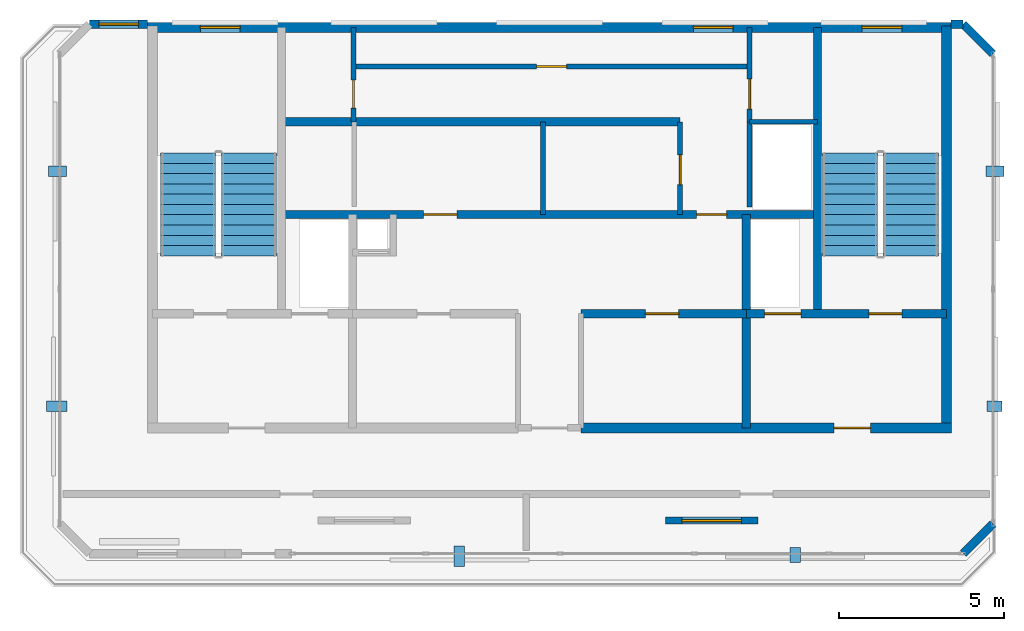
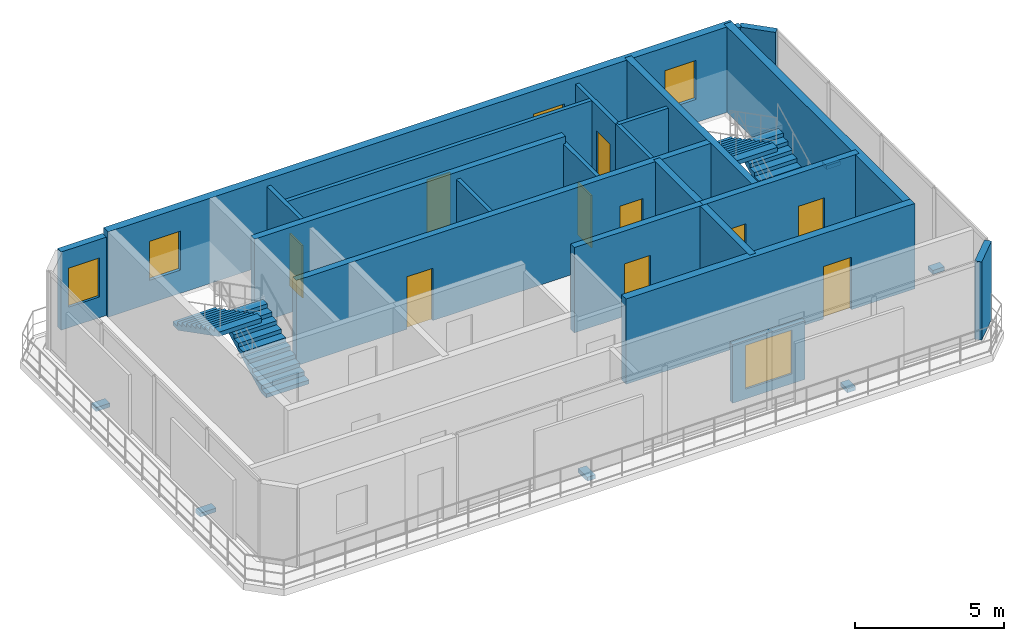
# One storey, part 6 of 7: 21 walls, 10 doors, 6 discrete accessories, 5 windows, 4 stair flights, 15 openings, 2 elements without a shape of their own.
"""IFC4 building model written with IfcOpenShell, lengths in metres."""

from ifc_helpers import new_model, si_unit, direction, frame, frame_2d, origin, origin_2d, place, context, subcontext, project, spatial, polyline, rectangle, outline, extrude, material, layer, layer_set, type_object, element, fill, aggregate, save


model = new_model("IFC4")

# Units and contexts
model_context = context("Model", 3, precision=1e-05, world=origin(), true_north=direction((0.0, 1.0)))
body_context = subcontext(model_context, "Body", "Model", "MODEL_VIEW")
ifc_project = project(units=[si_unit("LENGTHUNIT", "METRE"), si_unit("AREAUNIT", "SQUARE_METRE"), si_unit("VOLUMEUNIT", "CUBIC_METRE"), si_unit("PLANEANGLEUNIT", "RADIAN"), si_unit("MASSUNIT", "GRAM", prefix="KILO")], contexts=[model_context])

# Site, building, storey
site_placement = place(None, origin())
site = spatial("IfcSite", under=ifc_project, at=site_placement, CompositionType="ELEMENT")
building_placement = place(site_placement, origin())
building = spatial("IfcBuilding", under=site, at=building_placement, Name="Catumbela Crestline Tower", CompositionType="ELEMENT")
storey_placement = place(building_placement, frame((0.0, 0.0, 308.0)))
storey = spatial("IfcBuildingStorey", under=building, at=storey_placement, Name="L79", CompositionType="ELEMENT", Elevation=308.0)

# Walls
ifc_material_1 = material(Name="Concrete C50/60", Category="concrete")
ifc_layer_1 = layer(ifc_material_1, 0.25, Name="Concrete C50/60")
ifc_layer_set_1 = layer_set([ifc_layer_1], Name="Concrete C50/60")
wall_type_1 = type_object("IfcWallType", Name="CW-250D", PredefinedType="SHEAR", material=ifc_layer_set_1)
wall_1_placement = place(storey_placement, frame((36.1, 34.25, 0.0), z_axis=(0.0, 0.0, 1.0), x_axis=(0.0, 1.0, 0.0)))
element("IfcWall", 1, at=wall_1_placement, inside=storey, type_object=wall_type_1, Name="L79 Structural Core Shear Wall EWEB", PredefinedType="SHEAR", context=body_context, shape_type="SweptSolid", body=[
    extrude(rectangle(XDim=8.65, YDim=0.25, at=frame_2d((4.325, 0.0))), origin(), (0.0, 0.0, 1.0), 3.5),
])
wall_2_placement = place(storey_placement, frame((33.95, 30.8, 0.0), z_axis=(0.0, 0.0, 1.0), x_axis=(0.0, 1.0, 0.0)))
element("IfcWall", 2, at=wall_2_placement, inside=storey, type_object=wall_type_1, Name="L79 Structural Core Shear Wall FFE", PredefinedType="SHEAR", context=body_context, shape_type="SweptSolid", body=[
    extrude(rectangle(XDim=6.45, YDim=0.25, at=frame_2d((3.225, 0.0))), origin(), (0.0, 0.0, 1.0), 3.5),
])

# Wall, openings, doors
wall_3_placement = place(storey_placement, frame((33.95, 34.25, 0.0), z_axis=(0.0, 0.0, 1.0), x_axis=(1.0, 0.0, 0.0)))
wall_3 = element("IfcWall", 3, at=wall_3_placement, inside=storey, type_object=wall_type_1, Name="L79 Structural Core Shear Wall ST2S", PredefinedType="SHEAR", context=body_context, shape_type="SweptSolid", body=[
    extrude(rectangle(XDim=6.05, YDim=0.25, at=frame_2d((3.025, 0.0))), origin(), (0.0, 0.0, 1.0), 3.5),
])
opening_1_placement = place(wall_3_placement, frame((3.7, 0.0, 0.0)))
opening_1 = element("IfcOpeningElement", 4, at=opening_1_placement, cuts=wall_3, Name="Opening DF9-100", PredefinedType="OPENING", context=body_context, shape_type="SweptSolid", body=[
    extrude(rectangle(XDim=1.0, YDim=2.15, at=frame_2d((0.5, 1.075))), frame((0.0, 0.135, 0.0), z_axis=(0.0, -1.0, 0.0), x_axis=(1.0, 0.0, 0.0)), (0.0, 0.0, 1.0), 0.27),
])
opening_2_placement = place(wall_3_placement, frame((0.55, 0.0, 0.0)))
opening_2 = element("IfcOpeningElement", 5, at=opening_2_placement, cuts=wall_3, Name="Opening LD-110", PredefinedType="OPENING", context=body_context, shape_type="SweptSolid", body=[
    extrude(rectangle(XDim=1.1, YDim=2.15, at=frame_2d((0.55, 1.075))), frame((0.0, 0.135, 0.0), z_axis=(0.0, -1.0, 0.0), x_axis=(1.0, 0.0, 0.0)), (0.0, 0.0, 1.0), 0.27),
])
ifc_material_2 = material(Name="Stainless steel EN 1.4401", Category="steel")
door_type_1 = type_object("IfcDoorType", Name="DF9-100", OperationType="NOTDEFINED", PredefinedType="DOOR", material=ifc_material_2)
door_1_placement = place(opening_1_placement, origin())
door_1 = element("IfcDoor", 6, at=door_1_placement, inside=storey, type_object=door_type_1, Name="L79 Interior Door DR-L79-ST02", OperationType="SINGLE_SWING_RIGHT", OverallHeight=2.15, OverallWidth=1.0, PredefinedType="DOOR", context=body_context, shape_type="SweptSolid", body=[
    extrude(rectangle(XDim=1.0, YDim=2.15, at=frame_2d((0.5, 1.075))), frame((0.0, 0.025, 0.0), z_axis=(0.0, -1.0, 0.0), x_axis=(1.0, 0.0, 0.0)), (0.0, 0.0, 1.0), 0.05),
])
fill(opening_1, door_1)
door_type_2 = type_object("IfcDoorType", Name="LD-110", OperationType="NOTDEFINED", PredefinedType="DOOR", material=ifc_material_2)
door_2_placement = place(opening_2_placement, origin())
door_2 = element("IfcDoor", 7, at=door_2_placement, inside=storey, type_object=door_type_2, Name="L79 Lift Landing Sliding Door FL-02", OperationType="DOUBLE_DOOR_SLIDING", OverallHeight=2.15, OverallWidth=1.1, PredefinedType="DOOR", context=body_context, shape_type="SweptSolid", body=[
    extrude(rectangle(XDim=1.1, YDim=2.15, at=frame_2d((0.55, 1.075))), frame((0.0, 0.025, 0.0), z_axis=(0.0, -1.0, 0.0), x_axis=(1.0, 0.0, 0.0)), (0.0, 0.0, 1.0), 0.05),
])
fill(opening_2, door_2)

# Wall, opening, door
wall_4_placement = place(storey_placement, frame((28.95, 34.25, 0.0), z_axis=(0.0, 0.0, 1.0), x_axis=(1.0, 0.0, 0.0)))
wall_4 = element("IfcWall", 8, at=wall_4_placement, inside=storey, type_object=wall_type_1, Name="L79 Structural Core Shear Wall LIFTS-E", PredefinedType="SHEAR", context=body_context, shape_type="SweptSolid", body=[
    extrude(rectangle(XDim=5.0, YDim=0.25, at=frame_2d((2.5, 0.0))), origin(), (0.0, 0.0, 1.0), 3.5),
])
opening_3_placement = place(wall_4_placement, frame((1.95, 0.0, 0.0)))
opening_3 = element("IfcOpeningElement", 9, at=opening_3_placement, cuts=wall_4, Name="Opening DF9-100", PredefinedType="OPENING", context=body_context, shape_type="SweptSolid", body=[
    extrude(rectangle(XDim=1.0, YDim=2.15, at=frame_2d((0.5, 1.075))), frame((0.0, 0.135, 0.0), z_axis=(0.0, -1.0, 0.0), x_axis=(1.0, 0.0, 0.0)), (0.0, 0.0, 1.0), 0.27),
])
door_3_placement = place(opening_3_placement, origin())
door_3 = element("IfcDoor", 10, at=door_3_placement, inside=storey, type_object=door_type_1, Name="L79 Interior Door DR-L79-RECL2", OperationType="SINGLE_SWING_RIGHT", OverallHeight=2.15, OverallWidth=1.0, PredefinedType="DOOR", context=body_context, shape_type="SweptSolid", body=[
    extrude(rectangle(XDim=1.0, YDim=2.15, at=frame_2d((0.5, 1.075))), frame((0.0, 0.025, 0.0), z_axis=(0.0, -1.0, 0.0), x_axis=(1.0, 0.0, 0.0)), (0.0, 0.0, 1.0), 0.05),
])
fill(opening_3, door_3)

# Wall, openings, doors
wall_5_placement = place(storey_placement, frame((19.9, 37.25, 0.0), z_axis=(0.0, 0.0, 1.0), x_axis=(1.0, 0.0, 0.0)))
wall_5 = element("IfcWall", 11, at=wall_5_placement, inside=storey, type_object=wall_type_1, Name="L79 Structural Core Shear Wall LIFTN", PredefinedType="SHEAR", context=body_context, shape_type="SweptSolid", body=[
    extrude(rectangle(XDim=16.2, YDim=0.25, at=frame_2d((8.1, 0.0))), origin(), (0.0, 0.0, 1.0), 3.5),
])
opening_4_placement = place(wall_5_placement, frame((4.3, 0.0, 0.0)))
opening_4 = element("IfcOpeningElement", 12, at=opening_4_placement, cuts=wall_5, Name="Opening DF9-100", PredefinedType="OPENING", context=body_context, shape_type="SweptSolid", body=[
    extrude(rectangle(XDim=1.0, YDim=2.15, at=frame_2d((0.5, 1.075))), frame((0.0, 0.135, 0.0), z_axis=(0.0, -1.0, 0.0), x_axis=(1.0, 0.0, 0.0)), (0.0, 0.0, 1.0), 0.27),
])
opening_5_placement = place(wall_5_placement, frame((12.55, 0.0, 0.0)))
opening_5 = element("IfcOpeningElement", 13, at=opening_5_placement, cuts=wall_5, Name="Opening DF9-090", PredefinedType="OPENING", context=body_context, shape_type="SweptSolid", body=[
    extrude(rectangle(XDim=0.9, YDim=2.15, at=frame_2d((0.45, 1.075))), frame((0.0, 0.135, 0.0), z_axis=(0.0, -1.0, 0.0), x_axis=(1.0, 0.0, 0.0)), (0.0, 0.0, 1.0), 0.27),
])
door_type_3 = type_object("IfcDoorType", Name="DF9-090", OperationType="NOTDEFINED", PredefinedType="DOOR", material=ifc_material_2)
door_4_placement = place(opening_5_placement, origin())
door_4 = element("IfcDoor", 14, at=door_4_placement, inside=storey, type_object=door_type_3, Name="L79 Interior Door DR-L79-CPAS1", OperationType="SINGLE_SWING_LEFT", OverallHeight=2.15, OverallWidth=0.9, PredefinedType="DOOR", context=body_context, shape_type="SweptSolid", body=[
    extrude(rectangle(XDim=0.9, YDim=2.15, at=frame_2d((0.45, 1.075))), frame((0.0, 0.025, 0.0), z_axis=(0.0, -1.0, 0.0), x_axis=(1.0, 0.0, 0.0)), (0.0, 0.0, 1.0), 0.05),
])
fill(opening_5, door_4)
door_5_placement = place(opening_4_placement, origin())
door_5 = element("IfcDoor", 15, at=door_5_placement, inside=storey, type_object=door_type_1, Name="L79 Interior Door DR-L79-RECL3", OperationType="SINGLE_SWING_LEFT", OverallHeight=2.15, OverallWidth=1.0, PredefinedType="DOOR", context=body_context, shape_type="SweptSolid", body=[
    extrude(rectangle(XDim=1.0, YDim=2.15, at=frame_2d((0.5, 1.075))), frame((0.0, 0.025, 0.0), z_axis=(0.0, -1.0, 0.0), x_axis=(1.0, 0.0, 0.0)), (0.0, 0.0, 1.0), 0.05),
])
fill(opening_4, door_5)

# Walls
wall_6_placement = place(storey_placement, frame((19.9, 40.05, 0.0), z_axis=(0.0, 0.0, 1.0), x_axis=(1.0, 0.0, 0.0)))
element("IfcWall", 16, at=wall_6_placement, inside=storey, type_object=wall_type_1, Name="L79 Structural Core Shear Wall COREN", PredefinedType="SHEAR", context=body_context, shape_type="SweptSolid", body=[
    extrude(rectangle(XDim=12.05, YDim=0.25, at=frame_2d((6.025, 0.0))), origin(), (0.0, 0.0, 1.0), 3.5),
])
ifc_material_3 = material(Name="Concrete C45/55", Category="concrete")
ifc_layer_2 = layer(ifc_material_3, 0.3, Name="Concrete C45/55")
ifc_layer_set_2 = layer_set([ifc_layer_2], Name="Concrete C45/55")
wall_type_2 = type_object("IfcWallType", Name="CW-300C", PredefinedType="SHEAR", material=ifc_layer_set_2)
wall_7_placement = place(storey_placement, frame((40.0, 30.65, 0.0), z_axis=(0.0, 0.0, 1.0), x_axis=(0.0, 1.0, 0.0)))
element("IfcWall", 17, at=wall_7_placement, inside=storey, type_object=wall_type_2, Name="L79 Structural Core Shear Wall E", PredefinedType="SHEAR", context=body_context, shape_type="SweptSolid", body=[
    extrude(rectangle(XDim=12.3, YDim=0.3, at=frame_2d((6.15, 0.0))), origin(), (0.0, 0.0, 1.0), 3.5),
])

# Wall, opening, door
wall_8_placement = place(storey_placement, frame((28.95, 30.8, 0.0), z_axis=(0.0, 0.0, 1.0), x_axis=(1.0, 0.0, 0.0)))
wall_8 = element("IfcWall", 18, at=wall_8_placement, inside=storey, type_object=wall_type_2, Name="L79 Structural Core Shear Wall SE", PredefinedType="SHEAR", context=body_context, shape_type="SweptSolid", body=[
    extrude(rectangle(XDim=11.2, YDim=0.3, at=frame_2d((5.6, 0.0))), origin(), (0.0, 0.0, 1.0), 3.5),
])
opening_6_placement = place(wall_8_placement, frame((7.65, 0.0, 0.0)))
opening_6 = element("IfcOpeningElement", 19, at=opening_6_placement, cuts=wall_8, Name="Opening DF9-110", PredefinedType="OPENING", context=body_context, shape_type="SweptSolid", body=[
    extrude(rectangle(XDim=1.1, YDim=2.15, at=frame_2d((0.55, 1.075))), frame((0.0, 0.16, 0.0), z_axis=(0.0, -1.0, 0.0), x_axis=(1.0, 0.0, 0.0)), (0.0, 0.0, 1.0), 0.32),
])
door_type_4 = type_object("IfcDoorType", Name="DF9-110", OperationType="NOTDEFINED", PredefinedType="DOOR", material=ifc_material_2)
door_6_placement = place(opening_6_placement, origin())
door_6 = element("IfcDoor", 20, at=door_6_placement, inside=storey, type_object=door_type_4, Name="L79 Interior Door DR-L79-FFE-S", OperationType="SINGLE_SWING_RIGHT", OverallHeight=2.15, OverallWidth=1.1, PredefinedType="DOOR", context=body_context, shape_type="SweptSolid", body=[
    extrude(rectangle(XDim=1.1, YDim=2.15, at=frame_2d((0.55, 1.075))), frame((0.0, 0.025, 0.0), z_axis=(0.0, -1.0, 0.0), x_axis=(1.0, 0.0, 0.0)), (0.0, 0.0, 1.0), 0.05),
])
fill(opening_6, door_6)

# Wall, openings, windows
ifc_layer_3 = layer(ifc_material_3, 0.3, Name="Concrete C45/55")
ifc_layer_set_3 = layer_set([ifc_layer_3], Name="Concrete C45/55")
wall_type_3 = type_object("IfcWallType", Name="CW-300E", PredefinedType="SHEAR", material=ifc_layer_set_3)
wall_9_placement = place(storey_placement, frame((15.85, 42.9, 0.0), z_axis=(0.0, 0.0, 1.0), x_axis=(1.0, 0.0, 0.0)))
wall_9 = element("IfcWall", 21, at=wall_9_placement, inside=storey, type_object=wall_type_3, Name="L79 Structural Core Shear Wall N", PredefinedType="SHEAR", context=body_context, shape_type="SweptSolid", body=[
    extrude(rectangle(XDim=24.3, YDim=0.3, at=frame_2d((12.15, 0.0))), origin(), (0.0, 0.0, 1.0), 3.5),
])
opening_7_placement = place(wall_9_placement, frame((1.6, 0.0, 0.95)))
opening_7 = element("IfcOpeningElement", 22, at=opening_7_placement, cuts=wall_9, Name="Opening WN-02", PredefinedType="OPENING", context=body_context, shape_type="SweptSolid", body=[
    extrude(rectangle(XDim=1.2, YDim=1.6, at=frame_2d((0.6, 0.8))), frame((0.0, 0.16, 0.0), z_axis=(0.0, -1.0, 0.0), x_axis=(1.0, 0.0, 0.0)), (0.0, 0.0, 1.0), 0.32),
])
opening_8_placement = place(wall_9_placement, frame((16.5, 0.0, 0.95)))
opening_8 = element("IfcOpeningElement", 23, at=opening_8_placement, cuts=wall_9, Name="Opening WN-02", PredefinedType="OPENING", context=body_context, shape_type="SweptSolid", body=[
    extrude(rectangle(XDim=1.2, YDim=1.6, at=frame_2d((0.6, 0.8))), frame((0.0, 0.16, 0.0), z_axis=(0.0, -1.0, 0.0), x_axis=(1.0, 0.0, 0.0)), (0.0, 0.0, 1.0), 0.32),
])
opening_9_placement = place(wall_9_placement, frame((21.6, 0.0, 0.95)))
opening_9 = element("IfcOpeningElement", 24, at=opening_9_placement, cuts=wall_9, Name="Opening WN-02", PredefinedType="OPENING", context=body_context, shape_type="SweptSolid", body=[
    extrude(rectangle(XDim=1.2, YDim=1.6, at=frame_2d((0.6, 0.8))), frame((0.0, 0.16, 0.0), z_axis=(0.0, -1.0, 0.0), x_axis=(1.0, 0.0, 0.0)), (0.0, 0.0, 1.0), 0.32),
])
ifc_material_4 = material(Name="Low-E laminated solar-control double glazing", Category="glass")
window_type_1 = type_object("IfcWindowType", Name="WO-1200", PartitioningType="SINGLE_PANEL", PredefinedType="WINDOW", material=ifc_material_4)
window_1_placement = place(opening_7_placement, origin())
window_1 = element("IfcWindow", 25, at=window_1_placement, inside=storey, type_object=window_type_1, Name="L79 North Core Daylight Vision Window 641", OverallHeight=1.6, OverallWidth=1.2, PartitioningType="SINGLE_PANEL", PredefinedType="WINDOW", context=body_context, shape_type="SweptSolid", body=[
    extrude(rectangle(XDim=1.2, YDim=1.6, at=frame_2d((0.6, 0.8))), frame((0.0, 0.03, 0.0), z_axis=(0.0, -1.0, 0.0), x_axis=(1.0, 0.0, 0.0)), (0.0, 0.0, 1.0), 0.06),
])
fill(opening_7, window_1)
window_2_placement = place(opening_8_placement, origin())
window_2 = element("IfcWindow", 26, at=window_2_placement, inside=storey, type_object=window_type_1, Name="L79 North Core Daylight Vision Window 642", OverallHeight=1.6, OverallWidth=1.2, PartitioningType="SINGLE_PANEL", PredefinedType="WINDOW", context=body_context, shape_type="SweptSolid", body=[
    extrude(rectangle(XDim=1.2, YDim=1.6, at=frame_2d((0.6, 0.8))), frame((0.0, 0.03, 0.0), z_axis=(0.0, -1.0, 0.0), x_axis=(1.0, 0.0, 0.0)), (0.0, 0.0, 1.0), 0.06),
])
fill(opening_8, window_2)
window_3_placement = place(opening_9_placement, origin())
window_3 = element("IfcWindow", 27, at=window_3_placement, inside=storey, type_object=window_type_1, Name="L79 North Core Daylight Vision Window 643", OverallHeight=1.6, OverallWidth=1.2, PartitioningType="SINGLE_PANEL", PredefinedType="WINDOW", context=body_context, shape_type="SweptSolid", body=[
    extrude(rectangle(XDim=1.2, YDim=1.6, at=frame_2d((0.6, 0.8))), frame((0.0, 0.03, 0.0), z_axis=(0.0, -1.0, 0.0), x_axis=(1.0, 0.0, 0.0)), (0.0, 0.0, 1.0), 0.06),
])
fill(opening_9, window_3)

# Walls
ifc_material_5 = material(Name="Angolan grey-ochre granite", Category="masonry")
ifc_layer_4 = layer(ifc_material_5, 0.25, Name="Angolan grey-ochre granite")
ifc_layer_set_4 = layer_set([ifc_layer_4], Name="Angolan grey-ochre granite")
wall_type_4 = type_object("IfcWallType", Name="WE-250", PredefinedType="STANDARD", material=ifc_layer_set_4)
for number, where, z_axis, x_axis, name in (
    (28, (40.5, 27.0, 0.0), (0.0, 0.0, 1.0), (0.707106781187, 0.707106781187, 0.0), "L79 Granite Punched Window Wall 1-1"),
    (29, (41.4, 42.1, 0.0), (0.0, 0.0, 1.0), (-0.707106781187, 0.707106781187, 0.0), "L79 Granite Punched Window Wall 3-1"),
):
    element("IfcWall", number, at=place(storey_placement, frame(where, z_axis=z_axis, x_axis=x_axis)), inside=storey, type_object=wall_type_4, Name=name, PredefinedType="STANDARD", context=body_context, shape_type="SweptSolid", body=[
        extrude(rectangle(XDim=1.2728, YDim=0.25, at=frame_2d((0.6364, 0.0))), origin(), (0.0, 0.0, 1.0), 3.21),
    ])
wall_10_placement = place(storey_placement, frame((40.5, 43.0, 0.0), z_axis=(0.0, 0.0, 1.0), x_axis=(-1.0, 0.0, 0.0)))
element("IfcWall", 30, at=wall_10_placement, inside=storey, type_object=wall_type_4, Name="L79 Granite Punched Window Wall 4-1", PredefinedType="STANDARD", context=body_context, shape_type="SweptSolid", body=[
    extrude(rectangle(XDim=0.36, YDim=0.25, at=frame_2d((0.18, 0.0))), origin(), (0.0, 0.0, 1.0), 3.21),
])

# Wall, opening, window
wall_11_placement = place(storey_placement, frame((15.86, 43.0, 0.0), z_axis=(0.0, 0.0, 1.0), x_axis=(-1.0, 0.0, 0.0)))
wall_11 = element("IfcWall", 31, at=wall_11_placement, inside=storey, type_object=wall_type_4, Name="L79 Granite Punched Window Wall 4-2", PredefinedType="STANDARD", context=body_context, shape_type="SweptSolid", body=[
    extrude(rectangle(XDim=1.76, YDim=0.25, at=frame_2d((0.88, 0.0))), origin(), (0.0, 0.0, 1.0), 3.21),
])
opening_10_placement = place(wall_11_placement, frame((0.28, 0.0, 0.85)))
opening_10 = element("IfcOpeningElement", 32, at=opening_10_placement, cuts=wall_11, Name="Opening WN-02", PredefinedType="OPENING", context=body_context, shape_type="SweptSolid", body=[
    extrude(rectangle(XDim=1.2, YDim=1.6, at=frame_2d((0.6, 0.8))), frame((0.0, 0.135, 0.0), z_axis=(0.0, -1.0, 0.0), x_axis=(1.0, 0.0, 0.0)), (0.0, 0.0, 1.0), 0.27),
])
window_4_placement = place(opening_10_placement, origin())
window_4 = element("IfcWindow", 33, at=window_4_placement, inside=storey, type_object=window_type_1, Name="L79 Facade Vision Window 645", OverallHeight=1.6, OverallWidth=1.2, PartitioningType="SINGLE_PANEL", PredefinedType="WINDOW", context=body_context, shape_type="SweptSolid", body=[
    extrude(rectangle(XDim=1.2, YDim=1.6, at=frame_2d((0.6, 0.8))), frame((0.0, 0.03, 0.0), z_axis=(0.0, -1.0, 0.0), x_axis=(1.0, 0.0, 0.0)), (0.0, 0.0, 1.0), 0.06),
])
fill(opening_10, window_4)

ifc_material_6 = material(Name="Concrete C40/50", Category="concrete")
ifc_layer_5 = layer(ifc_material_6, 0.2, Name="Concrete C40/50")
ifc_layer_set_5 = layer_set([ifc_layer_5], Name="Concrete C40/50")
wall_type_5 = type_object("IfcWallType", Name="WP-200", PredefinedType="PARAPET", material=ifc_layer_set_5)
wall_12_placement = place(storey_placement, frame((31.5, 28.0, 0.0), z_axis=(0.0, 0.0, 1.0), x_axis=(1.0, 0.0, 0.0)))
wall_12 = element("IfcWall", 34, at=wall_12_placement, inside=storey, type_object=wall_type_5, Name="L79 Belvedere Clerestory Skylight Upstand 6", PredefinedType="PARAPET", context=body_context, shape_type="SweptSolid", body=[
    extrude(rectangle(XDim=2.8, YDim=0.2, at=frame_2d((1.4, 0.0))), origin(), (0.0, 0.0, 1.0), 2.4),
])
opening_11_placement = place(wall_12_placement, frame((0.5, 0.0, 0.4)))
opening_11 = element("IfcOpeningElement", 35, at=opening_11_placement, cuts=wall_12, Name="Opening WS-06", PredefinedType="OPENING", context=body_context, shape_type="SweptSolid", body=[
    extrude(rectangle(XDim=1.8, YDim=1.8, at=frame_2d((0.9, 0.9))), frame((0.0, 0.11, 0.0), z_axis=(0.0, -1.0, 0.0), x_axis=(1.0, 0.0, 0.0)), (0.0, 0.0, 1.0), 0.22),
])
window_type_2 = type_object("IfcWindowType", Name="WS-1800", PartitioningType="SINGLE_PANEL", PredefinedType="SKYLIGHT", material=ifc_material_4)
window_5_placement = place(opening_11_placement, origin())
window_5 = element("IfcWindow", 36, at=window_5_placement, inside=storey, type_object=window_type_2, Name="L79 Laminated Clerestory Skylight 6", OverallHeight=1.8, OverallWidth=1.8, PartitioningType="SINGLE_PANEL", PredefinedType="SKYLIGHT", context=body_context, shape_type="SweptSolid", body=[
    extrude(rectangle(XDim=1.8, YDim=1.8, at=frame_2d((0.9, 0.9))), frame((0.0, 0.03, 0.0), z_axis=(0.0, -1.0, 0.0), x_axis=(1.0, 0.0, 0.0)), (0.0, 0.0, 1.0), 0.06),
])
fill(opening_11, window_5)

# Wall
ifc_material_7 = material(Name="Acoustic gypsum and mineral-wool partition")
ifc_layer_6 = layer(ifc_material_7, 0.15, Name="Acoustic gypsum and mineral-wool partition")
ifc_layer_set_6 = layer_set([ifc_layer_6], Name="Acoustic gypsum and mineral-wool partition")
wall_type_6 = type_object("IfcWallType", Name="WP-150", PredefinedType="PARTITIONING", material=ifc_layer_set_6)
wall_13_placement = place(storey_placement, frame((34.05, 40.05, 0.0), z_axis=(0.0, 0.0, 1.0), x_axis=(1.0, 0.0, 0.0)))
element("IfcWall", 37, at=wall_13_placement, inside=storey, type_object=wall_type_6, Name="L79 Interior Partition PW-L79-CR-ES", PredefinedType="PARTITIONING", context=body_context, shape_type="SweptSolid", body=[
    extrude(rectangle(XDim=2.05, YDim=0.15, at=frame_2d((1.025, 0.0))), origin(), (0.0, 0.0, 1.0), 3.21),
])

# Wall, opening, door
wall_14_placement = place(storey_placement, frame((34.05, 40.05, 0.0), z_axis=(0.0, 0.0, 1.0), x_axis=(0.0, 1.0, 0.0)))
wall_14 = element("IfcWall", 38, at=wall_14_placement, inside=storey, type_object=wall_type_6, Name="L79 Interior Partition PW-L79-CR-EW", PredefinedType="PARTITIONING", context=body_context, shape_type="SweptSolid", body=[
    extrude(rectangle(XDim=2.85, YDim=0.15, at=frame_2d((1.425, 0.0))), origin(), (0.0, 0.0, 1.0), 3.21),
])
opening_12_placement = place(wall_14_placement, frame((0.385, 0.0, 0.0)))
opening_12 = element("IfcOpeningElement", 39, at=opening_12_placement, cuts=wall_14, Name="Opening DF9-090", PredefinedType="OPENING", context=body_context, shape_type="SweptSolid", body=[
    extrude(rectangle(XDim=0.9, YDim=2.15, at=frame_2d((0.45, 1.075))), frame((0.0, 0.085, 0.0), z_axis=(0.0, -1.0, 0.0), x_axis=(1.0, 0.0, 0.0)), (0.0, 0.0, 1.0), 0.17),
])
door_7_placement = place(opening_12_placement, origin())
door_7 = element("IfcDoor", 40, at=door_7_placement, inside=storey, type_object=door_type_3, Name="L79 Interior Door DR-L79-CREAST", OperationType="SINGLE_SWING_RIGHT", OverallHeight=2.15, OverallWidth=0.9, PredefinedType="DOOR", context=body_context, shape_type="SweptSolid", body=[
    extrude(rectangle(XDim=0.9, YDim=2.15, at=frame_2d((0.45, 1.075))), frame((0.0, 0.025, 0.0), z_axis=(0.0, -1.0, 0.0), x_axis=(1.0, 0.0, 0.0)), (0.0, 0.0, 1.0), 0.05),
])
fill(opening_12, door_7)

wall_15_placement = place(storey_placement, frame((22.08, 40.05, 0.0), z_axis=(0.0, 0.0, 1.0), x_axis=(0.0, 1.0, 0.0)))
wall_15 = element("IfcWall", 41, at=wall_15_placement, inside=storey, type_object=wall_type_6, Name="L79 Interior Partition PW-L79-CR-WCW", PredefinedType="PARTITIONING", context=body_context, shape_type="SweptSolid", body=[
    extrude(rectangle(XDim=2.85, YDim=0.15, at=frame_2d((1.425, 0.0))), origin(), (0.0, 0.0, 1.0), 3.21),
])
opening_13_placement = place(wall_15_placement, frame((0.41, 0.0, 0.0)))
opening_13 = element("IfcOpeningElement", 42, at=opening_13_placement, cuts=wall_15, Name="Opening DI-085", PredefinedType="OPENING", context=body_context, shape_type="SweptSolid", body=[
    extrude(rectangle(XDim=0.85, YDim=2.15, at=frame_2d((0.425, 1.075))), frame((0.0, 0.085, 0.0), z_axis=(0.0, -1.0, 0.0), x_axis=(1.0, 0.0, 0.0)), (0.0, 0.0, 1.0), 0.17),
])
ifc_material_8 = material(Name="Aluminium alloy AW-6060-T66", Category="aluminium")
door_type_5 = type_object("IfcDoorType", Name="DI-085", OperationType="NOTDEFINED", PredefinedType="DOOR", material=ifc_material_8)
door_8_placement = place(opening_13_placement, origin())
door_8 = element("IfcDoor", 43, at=door_8_placement, inside=storey, type_object=door_type_5, Name="L79 Interior Door DR-L79-CRWC", OperationType="SINGLE_SWING_LEFT", OverallHeight=2.15, OverallWidth=0.85, PredefinedType="DOOR", context=body_context, shape_type="SweptSolid", body=[
    extrude(rectangle(XDim=0.85, YDim=2.15, at=frame_2d((0.425, 1.075))), frame((0.0, 0.025, 0.0), z_axis=(0.0, -1.0, 0.0), x_axis=(1.0, 0.0, 0.0)), (0.0, 0.0, 1.0), 0.05),
])
fill(opening_13, door_8)

wall_16_placement = place(storey_placement, frame((22.08, 41.72, 0.0), z_axis=(0.0, 0.0, 1.0), x_axis=(1.0, 0.0, 0.0)))
wall_16 = element("IfcWall", 44, at=wall_16_placement, inside=storey, type_object=wall_type_6, Name="L79 Interior Partition PW-L79-CR-MID", PredefinedType="PARTITIONING", context=body_context, shape_type="SweptSolid", body=[
    extrude(rectangle(XDim=11.97, YDim=0.15, at=frame_2d((5.985, 0.0))), origin(), (0.0, 0.0, 1.0), 3.21),
])
opening_14_placement = place(wall_16_placement, frame((5.535, 0.0, 0.0)))
opening_14 = element("IfcOpeningElement", 45, at=opening_14_placement, cuts=wall_16, Name="Opening DF9-090", PredefinedType="OPENING", context=body_context, shape_type="SweptSolid", body=[
    extrude(rectangle(XDim=0.9, YDim=2.15, at=frame_2d((0.45, 1.075))), frame((0.0, 0.085, 0.0), z_axis=(0.0, -1.0, 0.0), x_axis=(1.0, 0.0, 0.0)), (0.0, 0.0, 1.0), 0.17),
])
door_9_placement = place(opening_14_placement, origin())
door_9 = element("IfcDoor", 46, at=door_9_placement, inside=storey, type_object=door_type_3, Name="L79 Interior Door DR-L79-CRMID", OperationType="SINGLE_SWING_LEFT", OverallHeight=2.15, OverallWidth=0.9, PredefinedType="DOOR", context=body_context, shape_type="SweptSolid", body=[
    extrude(rectangle(XDim=0.9, YDim=2.15, at=frame_2d((0.45, 1.075))), frame((0.0, 0.025, 0.0), z_axis=(0.0, -1.0, 0.0), x_axis=(1.0, 0.0, 0.0)), (0.0, 0.0, 1.0), 0.05),
])
fill(opening_14, door_9)

# Wall
ifc_layer_7 = layer(ifc_material_7, 0.15, Name="Acoustic gypsum and mineral-wool partition")
ifc_layer_set_7 = layer_set([ifc_layer_7], Name="Acoustic gypsum and mineral-wool partition")
wall_type_7 = type_object("IfcWallType", Name="WS-150", PredefinedType="PLUMBINGWALL", material=ifc_layer_set_7)
wall_17_placement = place(storey_placement, frame((27.8, 37.25, 0.0), z_axis=(0.0, 0.0, 1.0), x_axis=(0.0, 1.0, 0.0)))
element("IfcWall", 47, at=wall_17_placement, inside=storey, type_object=wall_type_7, Name="L79 Interior Partition PW-L79-SHH3", PredefinedType="PLUMBINGWALL", context=body_context, shape_type="SweptSolid", body=[
    extrude(rectangle(XDim=2.8, YDim=0.15, at=frame_2d((1.4, 0.0))), origin(), (0.0, 0.0, 1.0), 3.21),
])

# Wall, opening, door
wall_18_placement = place(storey_placement, frame((31.95, 37.25, 0.0), z_axis=(0.0, 0.0, 1.0), x_axis=(0.0, 1.0, 0.0)))
wall_18 = element("IfcWall", 48, at=wall_18_placement, inside=storey, type_object=wall_type_7, Name="L79 Interior Partition PW-L79-SHEX2E", PredefinedType="PLUMBINGWALL", context=body_context, shape_type="SweptSolid", body=[
    extrude(rectangle(XDim=2.8, YDim=0.15, at=frame_2d((1.4, 0.0))), origin(), (0.0, 0.0, 1.0), 3.21),
])
opening_15_placement = place(wall_18_placement, frame((0.9, 0.0, 0.0)))
opening_15 = element("IfcOpeningElement", 49, at=opening_15_placement, cuts=wall_18, Name="Opening DF9-090", PredefinedType="OPENING", context=body_context, shape_type="SweptSolid", body=[
    extrude(rectangle(XDim=0.9, YDim=2.15, at=frame_2d((0.45, 1.075))), frame((0.0, 0.085, 0.0), z_axis=(0.0, -1.0, 0.0), x_axis=(1.0, 0.0, 0.0)), (0.0, 0.0, 1.0), 0.17),
])
door_10_placement = place(opening_15_placement, origin())
door_10 = element("IfcDoor", 50, at=door_10_placement, inside=storey, type_object=door_type_3, Name="L79 Interior Door DR-L79-RECEX", OperationType="SINGLE_SWING_LEFT", OverallHeight=2.15, OverallWidth=0.9, PredefinedType="DOOR", context=body_context, shape_type="SweptSolid", body=[
    extrude(rectangle(XDim=0.9, YDim=2.15, at=frame_2d((0.45, 1.075))), frame((0.0, 0.025, 0.0), z_axis=(0.0, -1.0, 0.0), x_axis=(1.0, 0.0, 0.0)), (0.0, 0.0, 1.0), 0.05),
])
fill(opening_15, door_10)

# Wall
wall_19_placement = place(storey_placement, frame((34.05, 37.4734, 0.0), z_axis=(0.0, 0.0, 1.0), x_axis=(0.0, 1.0, 0.0)))
element("IfcWall", 51, at=wall_19_placement, inside=storey, type_object=wall_type_7, Name="L79 Interior Partition PW-L79-RISW", PredefinedType="PLUMBINGWALL", context=body_context, shape_type="SweptSolid", body=[
    extrude(rectangle(XDim=2.5766, YDim=0.15, at=frame_2d((1.2883, 0.0))), origin(), (0.0, 0.0, 1.0), 3.21),
])

# Stair, stair flights
stair_type = type_object("IfcStairType", Name="ST-DLG", PredefinedType="HALF_TURN_STAIR", material=ifc_material_3)
stair_1_placement = place(storey_placement, origin())
stair_1 = element("IfcStair", 52, at=stair_1_placement, inside=storey, type_object=stair_type, Name="L79 West Core Pressurised Exit Stair ST-01", PredefinedType="HALF_TURN_STAIR")
stair_flight_type = type_object("IfcStairFlightType", Name="SF-1591", PredefinedType="STRAIGHT", material=ifc_material_3)
stair_flight_1_placement = place(storey_placement, frame((18.92, 36.0, 0.0), z_axis=(0.0, 0.0, 1.0), x_axis=(0.0, 1.0, 0.0)))
stair_flight_1 = element("IfcStairFlight", 53, at=stair_flight_1_placement, type_object=stair_flight_type, Name="ST-01 flight 1", NumberOfRisers=11, NumberOfTreads=10, PredefinedType="STRAIGHT", RiserHeight=0.159090909, TreadLength=0.31, context=body_context, shape_type="SweptSolid", body=[
    extrude(outline(polyline([(0.0, 0.0), (0.0, 0.1591), (0.31, 0.1591), (0.31, 0.3182), (0.62, 0.3182), (0.62, 0.4773), (0.93, 0.4773), (0.93, 0.6364), (1.24, 0.6364), (1.24, 0.7955), (1.55, 0.7955), (1.55, 0.9545), (1.86, 0.9545), (1.86, 1.1136), (2.17, 1.1136), (2.17, 1.2727), (2.48, 1.2727), (2.48, 1.4318), (2.79, 1.4318), (2.79, 1.5909), (3.1, 1.5909), (3.1, 1.75), (3.1, 1.4111), (0.3504, 0.0), (0.0, 0.0)])), frame((0.0, 0.83, 0.0), z_axis=(0.0, -1.0, 0.0), x_axis=(1.0, 0.0, 0.0)), (0.0, 0.0, 1.0), 1.66),
])
stair_flight_2_placement = place(storey_placement, frame((17.08, 39.1, 1.75), z_axis=(0.0, 0.0, 1.0), x_axis=(0.0, -1.0, 0.0)))
stair_flight_2 = element("IfcStairFlight", 54, at=stair_flight_2_placement, type_object=stair_flight_type, Name="ST-01 flight 2", NumberOfRisers=11, NumberOfTreads=10, PredefinedType="STRAIGHT", RiserHeight=0.159090909, TreadLength=0.31, context=body_context, shape_type="SweptSolid", body=[
    extrude(outline(polyline([(0.0, 0.0), (0.0, 0.1591), (0.31, 0.1591), (0.31, 0.3182), (0.62, 0.3182), (0.62, 0.4773), (0.93, 0.4773), (0.93, 0.6364), (1.24, 0.6364), (1.24, 0.7955), (1.55, 0.7955), (1.55, 0.9545), (1.86, 0.9545), (1.86, 1.1136), (2.17, 1.1136), (2.17, 1.2727), (2.48, 1.2727), (2.48, 1.4318), (2.79, 1.4318), (2.79, 1.5909), (3.1, 1.5909), (3.1, 1.75), (3.1, 1.4111), (0.3504, 0.0), (0.0, 0.0)])), frame((0.0, 0.83, 0.0), z_axis=(0.0, -1.0, 0.0), x_axis=(1.0, 0.0, 0.0)), (0.0, 0.0, 1.0), 1.66),
])
aggregate(stair_1, [stair_flight_1, stair_flight_2])

stair_2_placement = place(storey_placement, origin())
stair_2 = element("IfcStair", 55, at=stair_2_placement, inside=storey, type_object=stair_type, Name="L79 East Core Pressurised Exit Stair ST-02", PredefinedType="HALF_TURN_STAIR")
stair_flight_3_placement = place(storey_placement, frame((38.92, 36.0, 0.0), z_axis=(0.0, 0.0, 1.0), x_axis=(0.0, 1.0, 0.0)))
stair_flight_3 = element("IfcStairFlight", 56, at=stair_flight_3_placement, type_object=stair_flight_type, Name="ST-02 flight 1", NumberOfRisers=11, NumberOfTreads=10, PredefinedType="STRAIGHT", RiserHeight=0.159090909, TreadLength=0.31, context=body_context, shape_type="SweptSolid", body=[
    extrude(outline(polyline([(0.0, 0.0), (0.0, 0.1591), (0.31, 0.1591), (0.31, 0.3182), (0.62, 0.3182), (0.62, 0.4773), (0.93, 0.4773), (0.93, 0.6364), (1.24, 0.6364), (1.24, 0.7955), (1.55, 0.7955), (1.55, 0.9545), (1.86, 0.9545), (1.86, 1.1136), (2.17, 1.1136), (2.17, 1.2727), (2.48, 1.2727), (2.48, 1.4318), (2.79, 1.4318), (2.79, 1.5909), (3.1, 1.5909), (3.1, 1.75), (3.1, 1.4111), (0.3504, 0.0), (0.0, 0.0)])), frame((0.0, 0.83, 0.0), z_axis=(0.0, -1.0, 0.0), x_axis=(1.0, 0.0, 0.0)), (0.0, 0.0, 1.0), 1.66),
])
stair_flight_4_placement = place(storey_placement, frame((37.08, 39.1, 1.75), z_axis=(0.0, 0.0, 1.0), x_axis=(0.0, -1.0, 0.0)))
stair_flight_4 = element("IfcStairFlight", 57, at=stair_flight_4_placement, type_object=stair_flight_type, Name="ST-02 flight 2", NumberOfRisers=11, NumberOfTreads=10, PredefinedType="STRAIGHT", RiserHeight=0.159090909, TreadLength=0.31, context=body_context, shape_type="SweptSolid", body=[
    extrude(outline(polyline([(0.0, 0.0), (0.0, 0.1591), (0.31, 0.1591), (0.31, 0.3182), (0.62, 0.3182), (0.62, 0.4773), (0.93, 0.4773), (0.93, 0.6364), (1.24, 0.6364), (1.24, 0.7955), (1.55, 0.7955), (1.55, 0.9545), (1.86, 0.9545), (1.86, 1.1136), (2.17, 1.1136), (2.17, 1.2727), (2.48, 1.2727), (2.48, 1.4318), (2.79, 1.4318), (2.79, 1.5909), (3.1, 1.5909), (3.1, 1.75), (3.1, 1.4111), (0.3504, 0.0), (0.0, 0.0)])), frame((0.0, 0.83, 0.0), z_axis=(0.0, -1.0, 0.0), x_axis=(1.0, 0.0, 0.0)), (0.0, 0.0, 1.0), 1.66),
])
aggregate(stair_2, [stair_flight_3, stair_flight_4])

# Discrete accessories
discrete_accessory_type = type_object("IfcDiscreteAccessoryType", Name="BK-SS1", PredefinedType="BRACKET", material=ifc_material_2)
discrete_accessory_1_placement = place(storey_placement, frame((25.275, 26.915, -0.18), z_axis=(0.0, 0.0, 1.0), x_axis=(1.0, 0.0, 0.0)))
element("IfcDiscreteAccessory", 58, at=discrete_accessory_1_placement, inside=storey, type_object=discrete_accessory_type, Name="L79 Solar Screen Stainless Bracket 954", PredefinedType="BRACKET", context=body_context, shape_type="SweptSolid", body=[
    extrude(rectangle(XDim=0.32, YDim=0.62, at=origin_2d()), origin(), (0.0, 0.0, 1.0), 0.16),
])
for number, where, z_axis, x_axis, name in (
    (59, (35.425, 26.955, -0.18), (0.0, 0.0, 1.0), (1.0, 0.0, 0.0), "L79 Solar Screen Stainless Bracket 955"),
    (60, (41.445, 31.45, -0.18), (0.0, 0.0, 1.0), (0.0, 1.0, 0.0), "L79 Solar Screen Stainless Bracket 956"),
):
    element("IfcDiscreteAccessory", number, at=place(storey_placement, frame(where, z_axis=z_axis, x_axis=x_axis)), inside=storey, type_object=discrete_accessory_type, Name=name, PredefinedType="BRACKET", context=body_context, shape_type="SweptSolid", body=[
        extrude(rectangle(XDim=0.32, YDim=0.46, at=origin_2d()), origin(), (0.0, 0.0, 1.0), 0.16),
    ])
for number, where, z_axis, x_axis, name in (
    (61, (41.465, 38.55, -0.18), (0.0, 0.0, 1.0), (0.0, 1.0, 0.0), "L79 Solar Screen Stainless Bracket 957"),
    (62, (13.135, 38.55, -0.18), (0.0, 0.0, 1.0), (0.0, -1.0, 0.0), "L79 Solar Screen Stainless Bracket 958"),
):
    element("IfcDiscreteAccessory", number, at=place(storey_placement, frame(where, z_axis=z_axis, x_axis=x_axis)), inside=storey, type_object=discrete_accessory_type, Name=name, PredefinedType="BRACKET", context=body_context, shape_type="SweptSolid", body=[
        extrude(rectangle(XDim=0.32, YDim=0.54, at=origin_2d()), origin(), (0.0, 0.0, 1.0), 0.16),
    ])
discrete_accessory_2_placement = place(storey_placement, frame((13.115, 31.45, -0.18), z_axis=(0.0, 0.0, 1.0), x_axis=(0.0, -1.0, 0.0)))
element("IfcDiscreteAccessory", 63, at=discrete_accessory_2_placement, inside=storey, type_object=discrete_accessory_type, Name="L79 Solar Screen Stainless Bracket 959", PredefinedType="BRACKET", context=body_context, shape_type="SweptSolid", body=[
    extrude(rectangle(XDim=0.32, YDim=0.62, at=origin_2d()), origin(), (0.0, 0.0, 1.0), 0.16),
])

save(model, "model.ifc")
